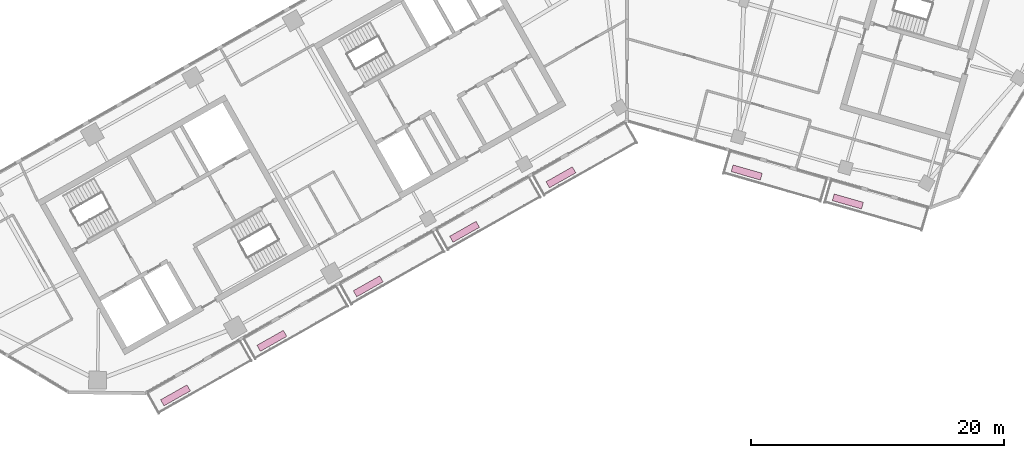
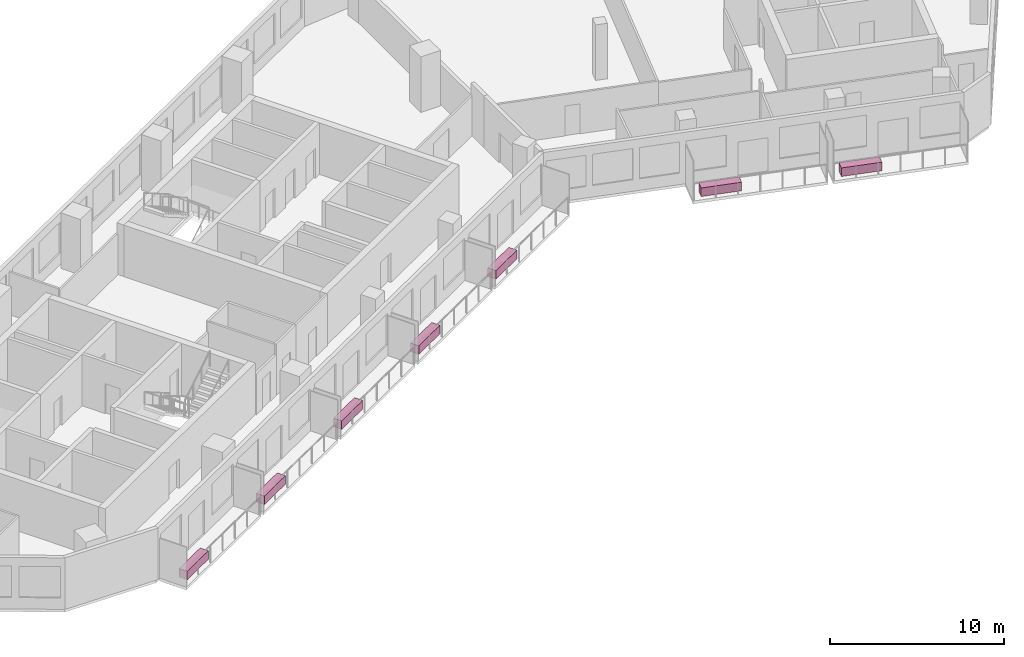
# One storey, part 12 of 12: 7 furnishings.
"""IFC4 building model written with IfcOpenShell, lengths in metres."""

from ifc_helpers import new_model, si_unit, direction, frame, origin, origin_2d, place, context, subcontext, project, spatial, rectangle, extrude, material, type_object, element, save


model = new_model("IFC4")

# Units and contexts
model_context = context("Model", 3, precision=1e-05, world=origin(), true_north=direction((0.0, 1.0)))
body_context = subcontext(model_context, "Body", "Model", "MODEL_VIEW")
ifc_project = project(units=[si_unit("LENGTHUNIT", "METRE"), si_unit("AREAUNIT", "SQUARE_METRE"), si_unit("VOLUMEUNIT", "CUBIC_METRE"), si_unit("PLANEANGLEUNIT", "RADIAN"), si_unit("MASSUNIT", "GRAM", prefix="KILO")], contexts=[model_context])

# Site, building, storey
site_placement = place(None, origin())
site = spatial("IfcSite", under=ifc_project, at=site_placement, CompositionType="ELEMENT")
building_placement = place(site_placement, origin())
building = spatial("IfcBuilding", under=site, at=building_placement, Name="Binnacle Exchange Tower", CompositionType="ELEMENT")
storey_placement = place(building_placement, frame((0.0, 0.0, 242.60009765625)))
storey = spatial("IfcBuildingStorey", under=building, at=storey_placement, Name="L53", CompositionType="ELEMENT", Elevation=242.60009765625)

# Furnishings
ifc_material = material(Name="Concrete C35/45", Category="concrete")
furnishing_element_type = type_object("IfcFurnishingElementType", Name="PLANTER 2400x550x600", material=ifc_material)
for number, where, z_axis, x_axis, name in (
    (1, (-35.698486328125, 26.2861328125, -0.000244140625), (0.0, 0.0, 1.0), (0.87035569594, 0.492423560103, 0.0), "Planter G01-B00a L53"),
    (2, (-28.078857421875, 30.59716796875, -0.000244140625), (0.0, 0.0, 1.0), (0.87035569594, 0.492423560103, 0.0), "Planter G01-B01a L53"),
    (3, (-20.459228515625, 34.908203125, -0.000244140625), (0.0, 0.0, 1.0), (0.87035569594, 0.492423560103, 0.0), "Planter G01-B02a L53"),
    (4, (-12.839599609375, 39.218994140625, -0.000244140625), (0.0, 0.0, 1.0), (0.87035569594, 0.492423560103, 0.0), "Planter G01-B03a L53"),
    (5, (-5.22021484375, 43.530029296875, -0.000244140625), (0.0, 0.0, 1.0), (0.87035569594, 0.492423560103, 0.0), "Planter G01-B04a L53"),
    (6, (9.474609375, 43.909912109375, -0.000244140625), (0.0, 0.0, 1.0), (0.961261695938, -0.275637355817, 0.0), "Planter G02-B01a L53"),
    (7, (17.47265625, 41.61669921875, -0.000244140625), (0.0, 0.0, 1.0), (0.961261695938, -0.275637355817, 0.0), "Planter G02-B02a L53"),
):
    element("IfcFurnishingElement", number, at=place(storey_placement, frame(where, z_axis=z_axis, x_axis=x_axis)), inside=storey, type_object=furnishing_element_type, Name=name, ObjectType="PLANTER", context=body_context, shape_type="SweptSolid", body=[
        extrude(rectangle(XDim=2.39990234375, YDim=0.550048828125, at=origin_2d()), origin(), (0.0, 0.0, 1.0), 0.60009765625),
    ])

save(model, "model.ifc")
